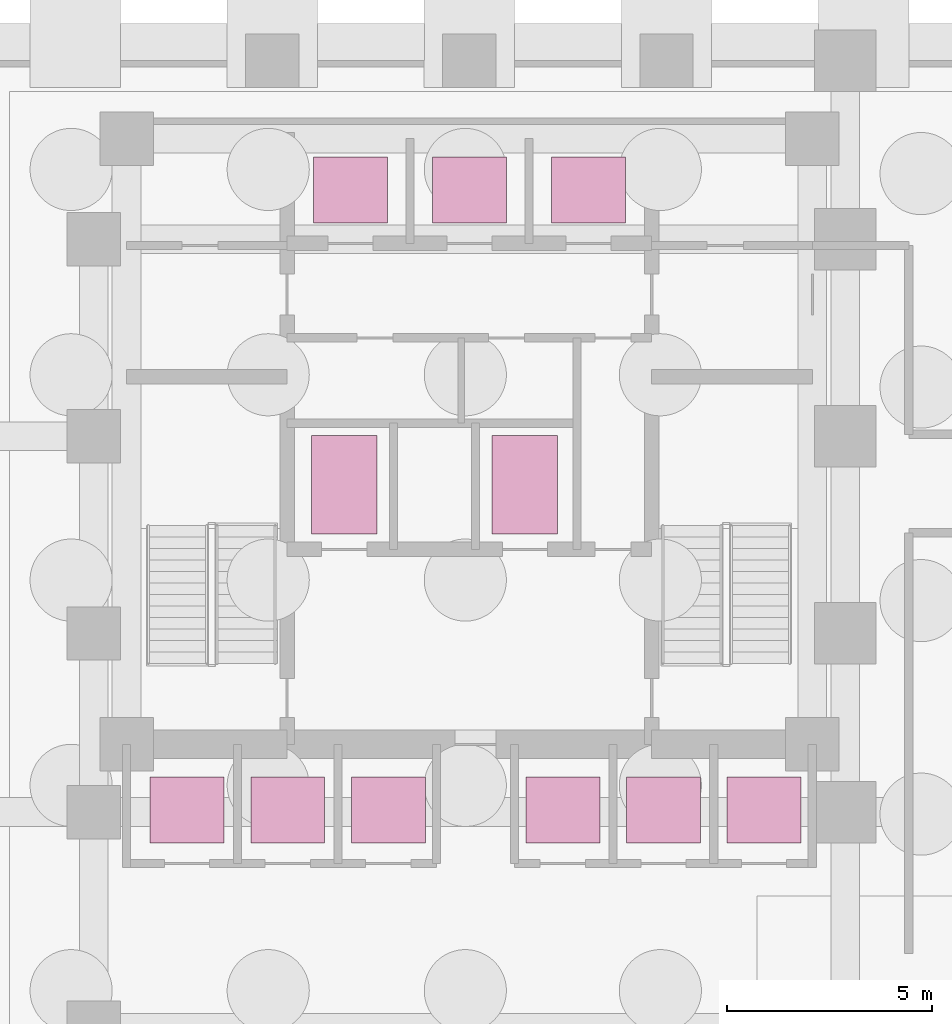
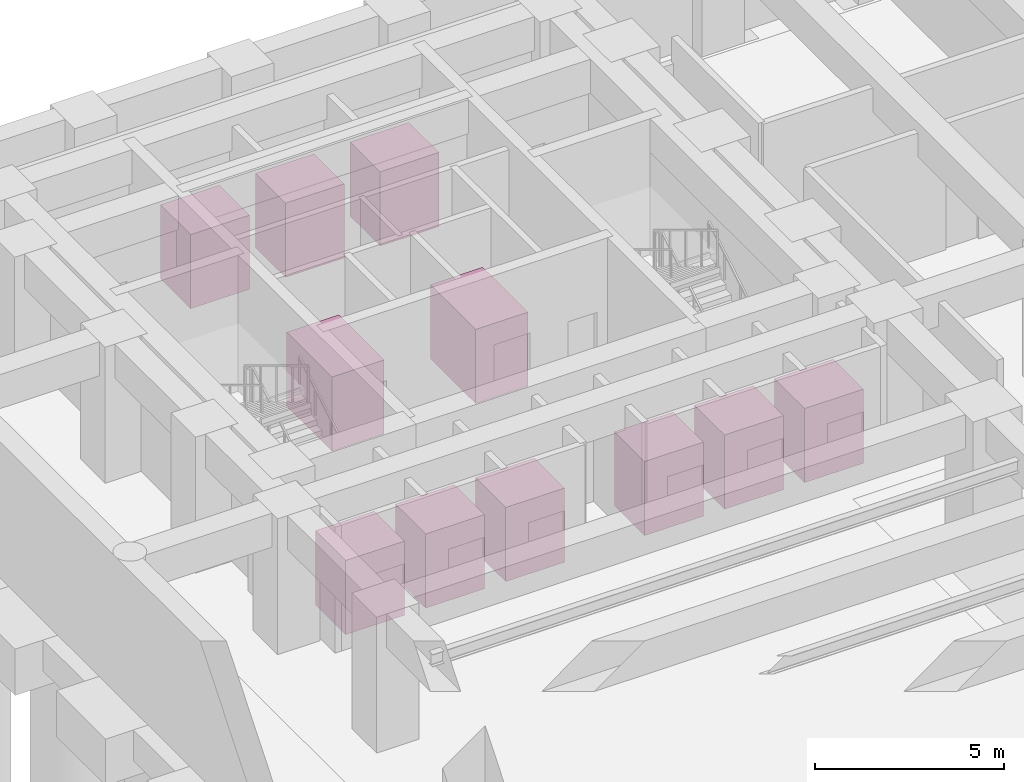
# One storey, part 8 of 8: 11 transport elements.
"""IFC4 building model written with IfcOpenShell, lengths in metres."""

from ifc_helpers import new_model, si_unit, direction, frame, origin, origin_2d, place, context, subcontext, project, spatial, rectangle, extrude, material, type_object, element, save


model = new_model("IFC4")

# Units and contexts
model_context = context("Model", 3, precision=1e-05, world=origin(), true_north=direction((0.0, 1.0)))
body_context = subcontext(model_context, "Body", "Model", "MODEL_VIEW")
ifc_project = project(units=[si_unit("LENGTHUNIT", "METRE"), si_unit("AREAUNIT", "SQUARE_METRE"), si_unit("VOLUMEUNIT", "CUBIC_METRE"), si_unit("PLANEANGLEUNIT", "RADIAN"), si_unit("MASSUNIT", "GRAM", prefix="KILO")], contexts=[model_context])

# Site, building, storey
site_placement = place(None, origin())
site = spatial("IfcSite", under=ifc_project, at=site_placement, CompositionType="ELEMENT")
building_placement = place(site_placement, origin())
building = spatial("IfcBuilding", under=site, at=building_placement, Name="Orvandelia Arch Residences", CompositionType="ELEMENT")
storey_placement = place(building_placement, frame((0.0, 0.0, -13.199951171875)))
storey = spatial("IfcBuildingStorey", under=building, at=storey_placement, Name="B3", CompositionType="ELEMENT", Elevation=-13.199951171875)

# Transport elements
ifc_material_1 = material(Name="Brushed Stainless Steel 316", Category="steel")
transport_element_type_1 = type_object("IfcTransportElementType", Name="LFT-FIRE-2000", PredefinedType="ELEVATOR", material=ifc_material_1)
for number, where, z_axis, x_axis, name in (
    (1, (11.35009765625, 37.22509765625, 0.0), (0.0, 0.0, 1.0), (1.0, 0.0, 0.0), "Emergency Firefighting and Stretcher Lift FL1"),
    (2, (15.75, 37.22509765625, 0.0), (0.0, 0.0, 1.0), (1.0, 0.0, 0.0), "Emergency Firefighting and Stretcher Lift FL2"),
):
    element("IfcTransportElement", number, at=place(storey_placement, frame(where, z_axis=z_axis, x_axis=x_axis)), inside=storey, type_object=transport_element_type_1, Name=name, PredefinedType="ELEVATOR", context=body_context, shape_type="SweptSolid", body=[
        extrude(rectangle(XDim=1.60009765625, YDim=2.39990234375, at=origin_2d()), origin(), (0.0, 0.0, 1.0), 2.39990234375),
    ])
ifc_material_2 = material(Name="Brushed Stainless Steel 304", Category="steel")
transport_element_type_2 = type_object("IfcTransportElementType", Name="LFT-PASS-1600", PredefinedType="ELEVATOR", material=ifc_material_2)
for number, where, z_axis, x_axis, name in (
    (3, (7.52490234375, 29.300048828125, 0.0), (0.0, 0.0, 1.0), (1.0, 0.0, 0.0), "Low-Rise Passenger Lift PL1"),
    (4, (9.97509765625, 29.300048828125, 0.0), (0.0, 0.0, 1.0), (1.0, 0.0, 0.0), "Low-Rise Passenger Lift PL2"),
    (5, (12.425048828125, 29.300048828125, 0.0), (0.0, 0.0, 1.0), (1.0, 0.0, 0.0), "Low-Rise Passenger Lift PL3"),
    (6, (16.675048828125, 29.300048828125, 0.0), (0.0, 0.0, 1.0), (1.0, 0.0, 0.0), "Mid-Rise Passenger Lift PM1"),
    (7, (19.125, 29.300048828125, 0.0), (0.0, 0.0, 1.0), (1.0, 0.0, 0.0), "Mid-Rise Passenger Lift PM2"),
    (8, (21.574951171875, 29.300048828125, 0.0), (0.0, 0.0, 1.0), (1.0, 0.0, 0.0), "Mid-Rise Passenger Lift PM3"),
    (9, (11.5, 44.39990234375, 0.0), (0.0, 0.0, 1.0), (1.0, 0.0, 0.0), "High-Rise Passenger Lift PH1"),
    (10, (14.39990234375, 44.39990234375, 0.0), (0.0, 0.0, 1.0), (1.0, 0.0, 0.0), "High-Rise Passenger Lift PH2"),
    (11, (17.300048828125, 44.39990234375, 0.0), (0.0, 0.0, 1.0), (1.0, 0.0, 0.0), "High-Rise Passenger Lift PH3"),
):
    element("IfcTransportElement", number, at=place(storey_placement, frame(where, z_axis=z_axis, x_axis=x_axis)), inside=storey, type_object=transport_element_type_2, Name=name, PredefinedType="ELEVATOR", context=body_context, shape_type="SweptSolid", body=[
        extrude(rectangle(XDim=1.800048828125, YDim=1.60009765625, at=origin_2d()), origin(), (0.0, 0.0, 1.0), 2.39990234375),
    ])

save(model, "model.ifc")
